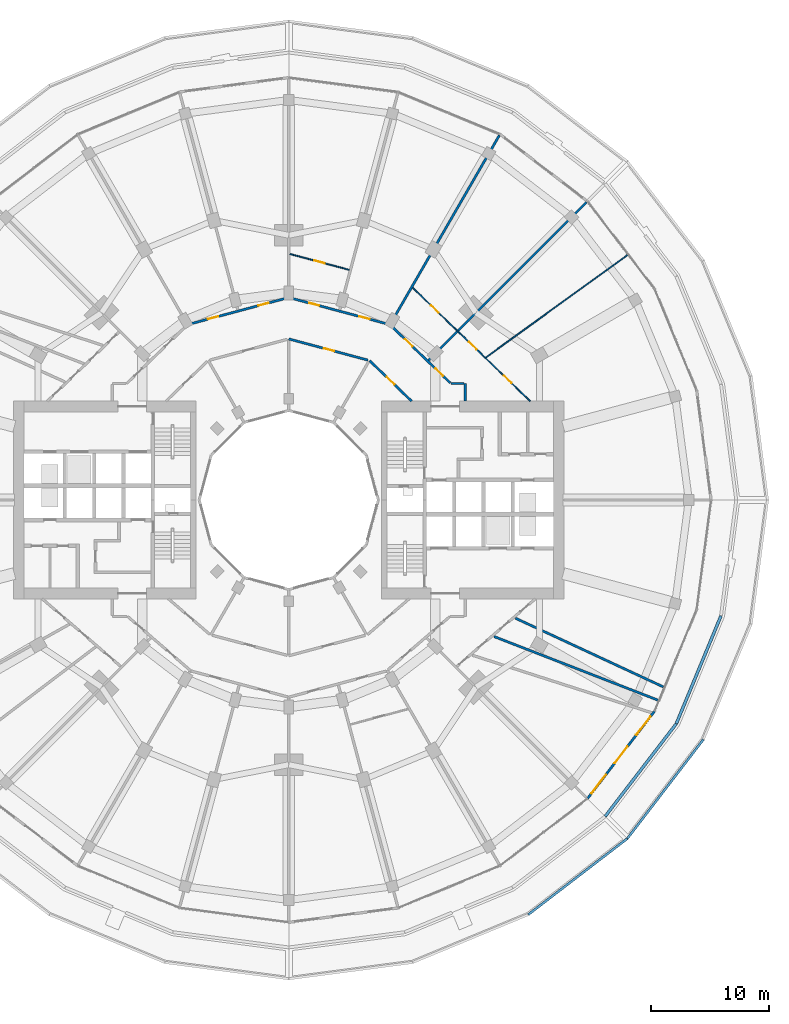
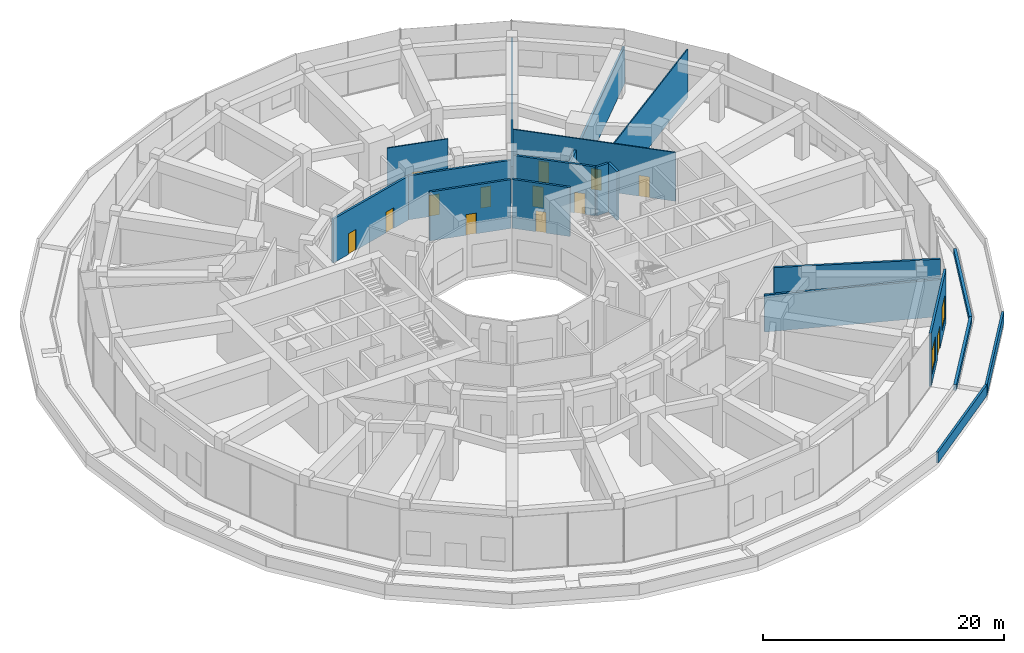
# One storey, part 22 of 26: 19 walls, 13 doors, 2 windows, 15 openings.
"""IFC4 building model written with IfcOpenShell, lengths in metres."""

from ifc_helpers import new_model, si_unit, direction, frame, frame_2d, origin, place, context, subcontext, project, spatial, rectangle, extrude, material, layer, layer_set, type_object, element, fill, save


model = new_model("IFC4")

# Units and contexts
model_context = context("Model", 3, precision=1e-05, world=origin(), true_north=direction((0.0, 1.0)))
body_context = subcontext(model_context, "Body", "Model", "MODEL_VIEW")
ifc_project = project(units=[si_unit("LENGTHUNIT", "METRE"), si_unit("AREAUNIT", "SQUARE_METRE"), si_unit("VOLUMEUNIT", "CUBIC_METRE"), si_unit("PLANEANGLEUNIT", "RADIAN"), si_unit("MASSUNIT", "GRAM", prefix="KILO")], contexts=[model_context])

# Site, building, storey
site_placement = place(None, origin())
site = spatial("IfcSite", under=ifc_project, at=site_placement, CompositionType="ELEMENT")
building_placement = place(site_placement, origin())
building = spatial("IfcBuilding", under=site, at=building_placement, Name="Torre Brocal", CompositionType="ELEMENT")
storey_placement = place(building_placement, frame((0.0, 0.0, 12.39990234375)))
storey = spatial("IfcBuildingStorey", under=building, at=storey_placement, Name="L02", CompositionType="ELEMENT", Elevation=12.39990234375)

# Wall, openings, windows, door
ifc_material_1 = material(Name="Concrete C40", Category="concrete")
ifc_layer_1 = layer(ifc_material_1, 0.199951171875)
ifc_layer_set_1 = layer_set([ifc_layer_1], Name="Concrete C40")
wall_type_1 = type_object("IfcWallType", Name="EXTERNAL WALL 200", PredefinedType="NOTDEFINED", material=ifc_layer_set_1)
wall_1_placement = place(storey_placement, frame((105.384521484375, 49.615478515625, 0.0), z_axis=(0.0, 0.0, 1.0), x_axis=(0.608758541676, 0.793355555811, 0.0)))
wall_1 = element("IfcWall", 1, at=wall_1_placement, inside=storey, type_object=wall_type_1, Name="EXTERNAL WALL", PredefinedType="NOTDEFINED", context=body_context, shape_type="SweptSolid", body=[
    extrude(rectangle(XDim=9.37158203125, YDim=0.199951171875, at=frame_2d((4.685791015625, 0.0))), origin(), (0.0, 0.0, 1.0), 5.400146484375),
])
opening_1_placement = place(wall_1_placement, frame((0.56201171875, 0.0, 0.89990234375)))
opening_1 = element("IfcOpeningElement", 2, at=opening_1_placement, cuts=wall_1, Name="Opening W2", PredefinedType="OPENING", context=body_context, shape_type="SweptSolid", body=[
    extrude(rectangle(XDim=2.0, YDim=2.39990234375, at=frame_2d((1.0, 1.199951171875))), frame((0.0, 0.10986328125, 0.0), z_axis=(0.0, -1.0, 0.0), x_axis=(1.0, 0.0, 0.0)), (0.0, 0.0, 1.0), 0.219970703125),
])
opening_2_placement = place(wall_1_placement, frame((3.785888671875, 0.0, 0.0)))
opening_2 = element("IfcOpeningElement", 3, at=opening_2_placement, cuts=wall_1, Name="Opening L02-E08", PredefinedType="OPENING", context=body_context, shape_type="SweptSolid", body=[
    extrude(rectangle(XDim=1.800048828125, YDim=2.39990234375, at=frame_2d((0.89990234375, 1.199951171875))), frame((0.0, 0.10986328125, 0.0), z_axis=(0.0, -1.0, 0.0), x_axis=(1.0, 0.0, 0.0)), (0.0, 0.0, 1.0), 0.219970703125),
])
opening_3_placement = place(wall_1_placement, frame((6.8095703125, 0.0, 0.89990234375)))
opening_3 = element("IfcOpeningElement", 4, at=opening_3_placement, cuts=wall_1, Name="Opening W2", PredefinedType="OPENING", context=body_context, shape_type="SweptSolid", body=[
    extrude(rectangle(XDim=2.0, YDim=2.39990234375, at=frame_2d((1.0, 1.199951171875))), frame((0.0, 0.10986328125, 0.0), z_axis=(0.0, -1.0, 0.0), x_axis=(1.0, 0.0, 0.0)), (0.0, 0.0, 1.0), 0.219970703125),
])
ifc_material_2 = material(Name="Aluminium and glass", Category="aluminium")
window_type = type_object("IfcWindowType", Name="PODIUM WINDOW 2000X2400", PartitioningType="SINGLE_PANEL", PredefinedType="WINDOW", material=ifc_material_2)
window_1_placement = place(opening_1_placement, origin())
window_1 = element("IfcWindow", 5, at=window_1_placement, inside=storey, type_object=window_type, Name="PODIUM WINDOW 2000X2400", OverallHeight=2.39990234375, OverallWidth=2.0, PartitioningType="SINGLE_PANEL", PredefinedType="WINDOW", context=body_context, shape_type="SweptSolid", body=[
    extrude(rectangle(XDim=2.0, YDim=2.39990234375, at=frame_2d((1.0, 1.199951171875))), frame((0.0, 0.030029296875, 0.0), z_axis=(0.0, -1.0, 0.0), x_axis=(1.0, 0.0, 0.0)), (0.0, 0.0, 1.0), 0.06005859375),
])
fill(opening_1, window_1)
window_2_placement = place(opening_3_placement, origin())
window_2 = element("IfcWindow", 6, at=window_2_placement, inside=storey, type_object=window_type, Name="PODIUM WINDOW 2000X2400", OverallHeight=2.39990234375, OverallWidth=2.0, PartitioningType="SINGLE_PANEL", PredefinedType="WINDOW", context=body_context, shape_type="SweptSolid", body=[
    extrude(rectangle(XDim=2.0, YDim=2.39990234375, at=frame_2d((1.0, 1.199951171875))), frame((0.0, 0.030029296875, 0.0), z_axis=(0.0, -1.0, 0.0), x_axis=(1.0, 0.0, 0.0)), (0.0, 0.0, 1.0), 0.06005859375),
])
fill(opening_3, window_2)
ifc_material_3 = material(Name="Aluminium and glass", Category="aluminium")
door_type_1 = type_object("IfcDoorType", Name="TERRACE DOUBLE DOOR 1800X2400", OperationType="DOUBLE_DOOR_SINGLE_SWING", PredefinedType="DOOR", material=ifc_material_3)
door_1_placement = place(opening_2_placement, frame((1.800048828125, 0.0, 0.0), z_axis=(0.0, 0.0, 1.0), x_axis=(-1.0, 0.0, 0.0)))
door_1 = element("IfcDoor", 7, at=door_1_placement, inside=storey, type_object=door_type_1, Name="DOOR L02-E08", OperationType="DOUBLE_DOOR_SINGLE_SWING", OverallHeight=2.39990234375, OverallWidth=1.800048828125, PredefinedType="DOOR", context=body_context, shape_type="SweptSolid", body=[
    extrude(rectangle(XDim=1.800048828125, YDim=2.39990234375, at=frame_2d((0.89990234375, 1.199951171875))), frame((0.0, 0.02490234375, 0.0), z_axis=(0.0, -1.0, 0.0), x_axis=(1.0, 0.0, 0.0)), (0.0, 0.0, 1.0), 0.050048828125),
])
fill(opening_2, door_1)

# Walls
ifc_material_4 = material(Name="Concrete C40", Category="concrete")
ifc_layer_2 = layer(ifc_material_4, 0.199951171875)
ifc_layer_set_2 = layer_set([ifc_layer_2], Name="Concrete C40")
wall_type_2 = type_object("IfcWallType", Name="PARAPET WALL 200 THICK 1100 HIGH", PredefinedType="PARAPET", material=ifc_layer_set_2)
for number, where, z_axis, x_axis, name in (
    (8, (115.237060546875, 54.640869140625, 0.0), (0.0, 0.0, 1.0), (-0.608761803977, -0.793353052568, 0.0), "PARAPET WALL 3"),
    (9, (108.76708984375, 46.214599609375, 0.0), (0.0, 0.0, 1.0), (-0.793353052568, -0.608761803977, 0.0), "PARAPET WALL 4"),
):
    element("IfcWall", number, at=place(storey_placement, frame(where, z_axis=z_axis, x_axis=x_axis)), inside=storey, type_object=wall_type_2, Name=name, PredefinedType="PARAPET", context=body_context, shape_type="SweptSolid", body=[
        extrude(rectangle(XDim=10.597900390625, YDim=0.199951171875, at=frame_2d((5.298828125, 0.0))), origin(), (0.0, 0.0, 1.0), 1.10009765625),
    ])

# Wall, opening, door
ifc_material_5 = material(Name="Gypsum board", Category="Gypsum")
ifc_layer_3 = layer(ifc_material_5, 0.10009765625)
ifc_layer_set_3 = layer_set([ifc_layer_3], Name="Gypsum board")
wall_type_3 = type_object("IfcWallType", Name="PARTITION 100", PredefinedType="PARTITIONING", material=ifc_layer_set_3)
wall_2_placement = place(storey_placement, frame((80.106201171875, 95.908447265625, 0.0), z_axis=(0.0, 0.0, 1.0), x_axis=(0.965909758842, -0.258879002188, 0.0)))
wall_2 = element("IfcWall", 10, at=wall_2_placement, inside=storey, type_object=wall_type_3, Name="ROOM PARTITION", PredefinedType="PARTITIONING", context=body_context, shape_type="SweptSolid", body=[
    extrude(rectangle(XDim=5.20849609375, YDim=0.10009765625, at=frame_2d((2.604248046875, 0.0))), origin(), (0.0, 0.0, 1.0), 4.9501953125),
])
opening_4_placement = place(wall_2_placement, frame((2.1494140625, 0.0, 0.0)))
opening_4 = element("IfcOpeningElement", 11, at=opening_4_placement, cuts=wall_2, Name="Opening PD2-D08", PredefinedType="OPENING", context=body_context, shape_type="SweptSolid", body=[
    extrude(rectangle(XDim=0.89990234375, YDim=2.10009765625, at=frame_2d((0.449951171875, 1.050048828125))), frame((0.0, 0.06005859375, 0.0), z_axis=(0.0, -1.0, 0.0), x_axis=(1.0, 0.0, 0.0)), (0.0, 0.0, 1.0), 0.1201171875),
])
ifc_material_6 = material(Name="Timber", Category="wood")
door_type_2 = type_object("IfcDoorType", Name="ROOM DOOR 900X2100", OperationType="SINGLE_SWING_LEFT", PredefinedType="DOOR", material=ifc_material_6)
door_2_placement = place(opening_4_placement, origin())
door_2 = element("IfcDoor", 12, at=door_2_placement, inside=storey, type_object=door_type_2, Name="PD2-D08", OperationType="SINGLE_SWING_RIGHT", OverallHeight=2.10009765625, OverallWidth=0.89990234375, PredefinedType="DOOR", context=body_context, shape_type="SweptSolid", body=[
    extrude(rectangle(XDim=0.89990234375, YDim=2.10009765625, at=frame_2d((0.449951171875, 1.050048828125))), frame((0.0, 0.02490234375, 0.0), z_axis=(0.0, -1.0, 0.0), x_axis=(1.0, 0.0, 0.0)), (0.0, 0.0, 1.0), 0.050048828125),
])
fill(opening_4, door_2)

# Wall, openings, doors
wall_3_placement = place(storey_placement, frame((90.53564453125, 93.0341796875, 0.0), z_axis=(0.0, 0.0, 1.0), x_axis=(0.719550314706, -0.694440310327, 0.0)))
wall_3 = element("IfcWall", 13, at=wall_3_placement, inside=storey, type_object=wall_type_3, Name="ROOM PARTITION", PredefinedType="PARTITIONING", context=body_context, shape_type="SweptSolid", body=[
    extrude(rectangle(XDim=13.87451171875, YDim=0.10009765625, at=frame_2d((6.937255859375, 0.0))), origin(), (0.0, 0.0, 1.0), 4.9501953125),
])
opening_5_placement = place(wall_3_placement, frame((10.7626953125, 0.0, 0.0)))
opening_5 = element("IfcOpeningElement", 14, at=opening_5_placement, cuts=wall_3, Name="Opening PD2-D01", PredefinedType="OPENING", context=body_context, shape_type="SweptSolid", body=[
    extrude(rectangle(XDim=0.89990234375, YDim=2.10009765625, at=frame_2d((0.449951171875, 1.050048828125))), frame((0.0, 0.06005859375, 0.0), z_axis=(0.0, -1.0, 0.0), x_axis=(1.0, 0.0, 0.0)), (0.0, 0.0, 1.0), 0.1201171875),
])
opening_6_placement = place(wall_3_placement, frame((6.647705078125, 0.0, 0.0)))
opening_6 = element("IfcOpeningElement", 15, at=opening_6_placement, cuts=wall_3, Name="Opening PD2-D02", PredefinedType="OPENING", context=body_context, shape_type="SweptSolid", body=[
    extrude(rectangle(XDim=0.89990234375, YDim=2.10009765625, at=frame_2d((0.449951171875, 1.050048828125))), frame((0.0, 0.06005859375, 0.0), z_axis=(0.0, -1.0, 0.0), x_axis=(1.0, 0.0, 0.0)), (0.0, 0.0, 1.0), 0.1201171875),
])
opening_7_placement = place(wall_3_placement, frame((2.146484375, 0.0, 0.0)))
opening_7 = element("IfcOpeningElement", 16, at=opening_7_placement, cuts=wall_3, Name="Opening PD2-D05", PredefinedType="OPENING", context=body_context, shape_type="SweptSolid", body=[
    extrude(rectangle(XDim=0.89990234375, YDim=2.10009765625, at=frame_2d((0.449951171875, 1.050048828125))), frame((0.0, 0.06005859375, 0.0), z_axis=(0.0, -1.0, 0.0), x_axis=(1.0, 0.0, 0.0)), (0.0, 0.0, 1.0), 0.1201171875),
])
door_3_placement = place(opening_5_placement, origin())
door_3 = element("IfcDoor", 17, at=door_3_placement, inside=storey, type_object=door_type_2, Name="PD2-D01", OperationType="SINGLE_SWING_LEFT", OverallHeight=2.10009765625, OverallWidth=0.89990234375, PredefinedType="DOOR", context=body_context, shape_type="SweptSolid", body=[
    extrude(rectangle(XDim=0.89990234375, YDim=2.10009765625, at=frame_2d((0.449951171875, 1.050048828125))), frame((0.0, 0.02490234375, 0.0), z_axis=(0.0, -1.0, 0.0), x_axis=(1.0, 0.0, 0.0)), (0.0, 0.0, 1.0), 0.050048828125),
])
fill(opening_5, door_3)
door_4_placement = place(opening_6_placement, origin())
door_4 = element("IfcDoor", 18, at=door_4_placement, inside=storey, type_object=door_type_2, Name="PD2-D02", OperationType="SINGLE_SWING_RIGHT", OverallHeight=2.10009765625, OverallWidth=0.89990234375, PredefinedType="DOOR", context=body_context, shape_type="SweptSolid", body=[
    extrude(rectangle(XDim=0.89990234375, YDim=2.10009765625, at=frame_2d((0.449951171875, 1.050048828125))), frame((0.0, 0.02490234375, 0.0), z_axis=(0.0, -1.0, 0.0), x_axis=(1.0, 0.0, 0.0)), (0.0, 0.0, 1.0), 0.050048828125),
])
fill(opening_6, door_4)
door_5_placement = place(opening_7_placement, origin())
door_5 = element("IfcDoor", 19, at=door_5_placement, inside=storey, type_object=door_type_2, Name="PD2-D05", OperationType="SINGLE_SWING_RIGHT", OverallHeight=2.10009765625, OverallWidth=0.89990234375, PredefinedType="DOOR", context=body_context, shape_type="SweptSolid", body=[
    extrude(rectangle(XDim=0.89990234375, YDim=2.10009765625, at=frame_2d((0.449951171875, 1.050048828125))), frame((0.0, 0.02490234375, 0.0), z_axis=(0.0, -1.0, 0.0), x_axis=(1.0, 0.0, 0.0)), (0.0, 0.0, 1.0), 0.050048828125),
])
fill(opening_7, door_5)

# Wall
wall_4_placement = place(storey_placement, frame((96.75244140625, 87.117919921875, 0.0), z_axis=(0.0, 0.0, 1.0), x_axis=(0.810241473642, 0.586096198921, 0.0)))
element("IfcWall", 20, at=wall_4_placement, inside=storey, type_object=wall_type_3, Name="ROOM PARTITION", PredefinedType="PARTITIONING", context=body_context, shape_type="SweptSolid", body=[
    extrude(rectangle(XDim=14.890625, YDim=0.10009765625, at=frame_2d((7.4453125, 0.0))), origin(), (0.0, 0.0, 1.0), 4.9501953125),
])

# Wall, opening, door
ifc_material_7 = material(Name="Gypsum board", Category="Gypsum")
ifc_layer_4 = layer(ifc_material_7, 0.199951171875)
ifc_layer_set_4 = layer_set([ifc_layer_4], Name="Gypsum board")
wall_type_4 = type_object("IfcWallType", Name="PARTITION 200 EI60", PredefinedType="PARTITIONING", material=ifc_layer_set_4)
wall_5_placement = place(storey_placement, frame((80.0, 88.68994140625, 0.0), z_axis=(0.0, 0.0, 1.0), x_axis=(0.965929896633, -0.258803853893, 0.0)))
wall_5 = element("IfcWall", 21, at=wall_5_placement, inside=storey, type_object=wall_type_4, Name="CORRIDOR WALL", PredefinedType="PARTITIONING", context=body_context, shape_type="SweptSolid", body=[
    extrude(rectangle(XDim=6.962890625, YDim=0.199951171875, at=frame_2d((3.4814453125, 0.0))), origin(), (0.0, 0.0, 1.0), 4.9501953125),
])
opening_8_placement = place(wall_5_placement, frame((3.1015625, 0.0, 0.0)))
opening_8 = element("IfcOpeningElement", 22, at=opening_8_placement, cuts=wall_5, Name="Opening PD2-D18", PredefinedType="OPENING", context=body_context, shape_type="SweptSolid", body=[
    extrude(rectangle(XDim=0.89990234375, YDim=2.10009765625, at=frame_2d((0.449951171875, 1.050048828125))), frame((0.0, 0.10986328125, 0.0), z_axis=(0.0, -1.0, 0.0), x_axis=(1.0, 0.0, 0.0)), (0.0, 0.0, 1.0), 0.219970703125),
])
door_6_placement = place(opening_8_placement, frame((0.89990234375, 0.0, 0.0), z_axis=(0.0, 0.0, 1.0), x_axis=(-1.0, 0.0, 0.0)))
door_6 = element("IfcDoor", 23, at=door_6_placement, inside=storey, type_object=door_type_2, Name="PD2-D18", OperationType="SINGLE_SWING_LEFT", OverallHeight=2.10009765625, OverallWidth=0.89990234375, PredefinedType="DOOR", context=body_context, shape_type="SweptSolid", body=[
    extrude(rectangle(XDim=0.89990234375, YDim=2.10009765625, at=frame_2d((0.449951171875, 1.050048828125))), frame((0.0, 0.02490234375, 0.0), z_axis=(0.0, -1.0, 0.0), x_axis=(1.0, 0.0, 0.0)), (0.0, 0.0, 1.0), 0.050048828125),
])
fill(opening_8, door_6)

wall_6_placement = place(storey_placement, frame((86.861083984375, 86.85205078125, 0.0), z_axis=(0.0, 0.0, 1.0), x_axis=(0.719448855188, -0.694545423114, 0.0)))
wall_6 = element("IfcWall", 24, at=wall_6_placement, inside=storey, type_object=wall_type_4, Name="CORRIDOR WALL", PredefinedType="PARTITIONING", context=body_context, shape_type="SweptSolid", body=[
    extrude(rectangle(XDim=4.970458984375, YDim=0.199951171875, at=frame_2d((2.4853515625, 0.0))), origin(), (0.0, 0.0, 1.0), 4.9501953125),
])
opening_9_placement = place(wall_6_placement, frame((2.03515625, 0.0, 0.0)))
opening_9 = element("IfcOpeningElement", 25, at=opening_9_placement, cuts=wall_6, Name="Opening PD2-D17", PredefinedType="OPENING", context=body_context, shape_type="SweptSolid", body=[
    extrude(rectangle(XDim=0.89990234375, YDim=2.10009765625, at=frame_2d((0.449951171875, 1.050048828125))), frame((0.0, 0.10986328125, 0.0), z_axis=(0.0, -1.0, 0.0), x_axis=(1.0, 0.0, 0.0)), (0.0, 0.0, 1.0), 0.219970703125),
])
door_7_placement = place(opening_9_placement, frame((0.89990234375, 0.0, 0.0), z_axis=(0.0, 0.0, 1.0), x_axis=(-1.0, 0.0, 0.0)))
door_7 = element("IfcDoor", 26, at=door_7_placement, inside=storey, type_object=door_type_2, Name="PD2-D17", OperationType="SINGLE_SWING_LEFT", OverallHeight=2.10009765625, OverallWidth=0.89990234375, PredefinedType="DOOR", context=body_context, shape_type="SweptSolid", body=[
    extrude(rectangle(XDim=0.89990234375, YDim=2.10009765625, at=frame_2d((0.449951171875, 1.050048828125))), frame((0.0, 0.02490234375, 0.0), z_axis=(0.0, -1.0, 0.0), x_axis=(1.0, 0.0, 0.0)), (0.0, 0.0, 1.0), 0.050048828125),
])
fill(opening_9, door_7)

# Wall, openings, doors
wall_7_placement = place(storey_placement, frame((88.66845703125, 89.83203125, 0.0), z_axis=(0.0, 0.0, 1.0), x_axis=(0.71956091863, -0.694429322811, 0.0)))
wall_7 = element("IfcWall", 27, at=wall_7_placement, inside=storey, type_object=wall_type_4, Name="CORRIDOR WALL", PredefinedType="PARTITIONING", context=body_context, shape_type="SweptSolid", body=[
    extrude(rectangle(XDim=7.04296875, YDim=0.199951171875, at=frame_2d((3.521484375, 0.0))), origin(), (0.0, 0.0, 1.0), 4.9501953125),
])
opening_10_placement = place(wall_7_placement, frame((5.27099609375, 0.0, 0.0)))
opening_10 = element("IfcOpeningElement", 28, at=opening_10_placement, cuts=wall_7, Name="Opening PD2-D03", PredefinedType="OPENING", context=body_context, shape_type="SweptSolid", body=[
    extrude(rectangle(XDim=0.89990234375, YDim=2.10009765625, at=frame_2d((0.449951171875, 1.050048828125))), frame((0.0, 0.10986328125, 0.0), z_axis=(0.0, -1.0, 0.0), x_axis=(1.0, 0.0, 0.0)), (0.0, 0.0, 1.0), 0.219970703125),
])
opening_11_placement = place(wall_7_placement, frame((1.684326171875, 0.0, 0.0)))
opening_11 = element("IfcOpeningElement", 29, at=opening_11_placement, cuts=wall_7, Name="Opening PD2-D04", PredefinedType="OPENING", context=body_context, shape_type="SweptSolid", body=[
    extrude(rectangle(XDim=0.89990234375, YDim=2.10009765625, at=frame_2d((0.449951171875, 1.050048828125))), frame((0.0, 0.10986328125, 0.0), z_axis=(0.0, -1.0, 0.0), x_axis=(1.0, 0.0, 0.0)), (0.0, 0.0, 1.0), 0.219970703125),
])
door_8_placement = place(opening_10_placement, origin())
door_8 = element("IfcDoor", 30, at=door_8_placement, inside=storey, type_object=door_type_2, Name="PD2-D03", OperationType="SINGLE_SWING_LEFT", OverallHeight=2.10009765625, OverallWidth=0.89990234375, PredefinedType="DOOR", context=body_context, shape_type="SweptSolid", body=[
    extrude(rectangle(XDim=0.89990234375, YDim=2.10009765625, at=frame_2d((0.449951171875, 1.050048828125))), frame((0.0, 0.02490234375, 0.0), z_axis=(0.0, -1.0, 0.0), x_axis=(1.0, 0.0, 0.0)), (0.0, 0.0, 1.0), 0.050048828125),
])
fill(opening_10, door_8)
door_9_placement = place(opening_11_placement, origin())
door_9 = element("IfcDoor", 31, at=door_9_placement, inside=storey, type_object=door_type_2, Name="PD2-D04", OperationType="SINGLE_SWING_RIGHT", OverallHeight=2.10009765625, OverallWidth=0.89990234375, PredefinedType="DOOR", context=body_context, shape_type="SweptSolid", body=[
    extrude(rectangle(XDim=0.89990234375, YDim=2.10009765625, at=frame_2d((0.449951171875, 1.050048828125))), frame((0.0, 0.02490234375, 0.0), z_axis=(0.0, -1.0, 0.0), x_axis=(1.0, 0.0, 0.0)), (0.0, 0.0, 1.0), 0.050048828125),
])
fill(opening_11, door_9)

# Walls
wall_8_placement = place(storey_placement, frame((93.780029296875, 84.89990234375, 0.0), z_axis=(0.0, 0.0, 1.0), x_axis=(1.0, 0.0, 0.0)))
element("IfcWall", 32, at=wall_8_placement, inside=storey, type_object=wall_type_4, Name="CORRIDOR WALL", PredefinedType="PARTITIONING", context=body_context, shape_type="SweptSolid", body=[
    extrude(rectangle(XDim=1.119873046875, YDim=0.199951171875, at=frame_2d((0.56005859375, 0.0))), origin(), (0.0, 0.0, 1.0), 4.9501953125),
])
wall_9_placement = place(storey_placement, frame((95.0, 83.40087890625, 0.0), z_axis=(0.0, 0.0, 1.0), x_axis=(0.0, 1.0, 0.0)))
element("IfcWall", 33, at=wall_9_placement, inside=storey, type_object=wall_type_4, Name="CORRIDOR WALL", PredefinedType="PARTITIONING", context=body_context, shape_type="SweptSolid", body=[
    extrude(rectangle(XDim=1.4990234375, YDim=0.199951171875, at=frame_2d((0.74951171875, 0.0))), origin(), (0.0, 0.0, 1.0), 4.9501953125),
])
wall_10_placement = place(storey_placement, frame((99.25830078125, 64.9560546875, 0.0), z_axis=(0.0, 0.0, 1.0), x_axis=(0.906926097288, -0.421289750715, 0.0)))
element("IfcWall", 34, at=wall_10_placement, inside=storey, type_object=wall_type_4, Name="PLANT ROOM WALL", PredefinedType="PARTITIONING", context=body_context, shape_type="SweptSolid", body=[
    extrude(rectangle(XDim=13.86767578125, YDim=0.199951171875, at=frame_2d((6.933837890625, 0.0))), origin(), (0.0, 0.0, 1.0), 4.9501953125),
])
ifc_material_8 = material(Name="Gypsum board", Category="Gypsum")
ifc_layer_5 = layer(ifc_material_8, 0.199951171875)
ifc_layer_set_5 = layer_set([ifc_layer_5], Name="Gypsum board")
wall_type_5 = type_object("IfcWallType", Name="PARTITION 200 EI60 UNDER BEAM 1650", PredefinedType="PARTITIONING", material=ifc_layer_set_5)
wall_11_placement = place(storey_placement, frame((88.6015625, 89.896728515625, 0.0), z_axis=(0.0, 0.0, 1.0), x_axis=(0.50004595028, 0.865998872752, 0.0)))
element("IfcWall", 35, at=wall_11_placement, inside=storey, type_object=wall_type_5, Name="PARTY PARTITION", PredefinedType="PARTITIONING", context=body_context, shape_type="SweptSolid", body=[
    extrude(rectangle(XDim=18.596435546875, YDim=0.199951171875, at=frame_2d((9.29833984375, 0.0))), origin(), (0.0, 0.0, 1.0), 3.75),
])
wall_12_placement = place(storey_placement, frame((91.875732421875, 86.875732421875, 0.0), z_axis=(0.0, 0.0, 1.0), x_axis=(0.707106781187, 0.707106781187, 0.0)))
element("IfcWall", 36, at=wall_12_placement, inside=storey, type_object=wall_type_5, Name="PARTY PARTITION", PredefinedType="PARTITIONING", context=body_context, shape_type="SweptSolid", body=[
    extrude(rectangle(XDim=19.00390625, YDim=0.199951171875, at=frame_2d((9.501953125, 0.0))), origin(), (0.0, 0.0, 1.0), 3.75),
])
wall_13_placement = place(storey_placement, frame((97.449462890625, 63.39306640625, 0.0), z_axis=(0.0, 0.0, 1.0), x_axis=(0.932246545469, -0.361823684218, 0.0)))
element("IfcWall", 37, at=wall_13_placement, inside=storey, type_object=wall_type_5, Name="SERVICE ROOM WALL", PredefinedType="PARTITIONING", context=body_context, shape_type="SweptSolid", body=[
    extrude(rectangle(XDim=14.932861328125, YDim=0.199951171875, at=frame_2d((7.46630859375, 0.0))), origin(), (0.0, 0.0, 1.0), 3.75),
])

# Wall, openings, doors
ifc_material_9 = material(Name="Gypsum board", Category="Gypsum")
ifc_layer_6 = layer(ifc_material_9, 0.199951171875)
ifc_layer_set_6 = layer_set([ifc_layer_6], Name="Gypsum board")
wall_type_6 = type_object("IfcWallType", Name="PARTITION 200 EI60 UNDER BEAM 950", PredefinedType="PARTITIONING", material=ifc_layer_set_6)
wall_14_placement = place(storey_placement, frame((71.410888671875, 89.907958984375, 0.0), z_axis=(0.0, 0.0, 1.0), x_axis=(0.965907314361, 0.258888122678, 0.0)))
wall_14 = element("IfcWall", 38, at=wall_14_placement, inside=storey, type_object=wall_type_6, Name="CORRIDOR WALL", PredefinedType="PARTITIONING", context=body_context, shape_type="SweptSolid", body=[
    extrude(rectangle(XDim=8.80224609375, YDim=0.199951171875, at=frame_2d((4.401123046875, 0.0))), origin(), (0.0, 0.0, 1.0), 4.4501953125),
])
opening_12_placement = place(wall_14_placement, frame((6.205322265625, 0.0, 0.0)))
opening_12 = element("IfcOpeningElement", 39, at=opening_12_placement, cuts=wall_14, Name="Opening PD2-D09", PredefinedType="OPENING", context=body_context, shape_type="SweptSolid", body=[
    extrude(rectangle(XDim=0.89990234375, YDim=2.10009765625, at=frame_2d((0.449951171875, 1.050048828125))), frame((0.0, 0.10986328125, 0.0), z_axis=(0.0, -1.0, 0.0), x_axis=(1.0, 0.0, 0.0)), (0.0, 0.0, 1.0), 0.219970703125),
])
opening_13_placement = place(wall_14_placement, frame((1.779052734375, 0.0, 0.0)))
opening_13 = element("IfcOpeningElement", 40, at=opening_13_placement, cuts=wall_14, Name="Opening PD2-D10", PredefinedType="OPENING", context=body_context, shape_type="SweptSolid", body=[
    extrude(rectangle(XDim=0.89990234375, YDim=2.10009765625, at=frame_2d((0.449951171875, 1.050048828125))), frame((0.0, 0.10986328125, 0.0), z_axis=(0.0, -1.0, 0.0), x_axis=(1.0, 0.0, 0.0)), (0.0, 0.0, 1.0), 0.219970703125),
])
door_10_placement = place(opening_12_placement, origin())
door_10 = element("IfcDoor", 41, at=door_10_placement, inside=storey, type_object=door_type_2, Name="PD2-D09", OperationType="SINGLE_SWING_LEFT", OverallHeight=2.10009765625, OverallWidth=0.89990234375, PredefinedType="DOOR", context=body_context, shape_type="SweptSolid", body=[
    extrude(rectangle(XDim=0.89990234375, YDim=2.10009765625, at=frame_2d((0.449951171875, 1.050048828125))), frame((0.0, 0.02490234375, 0.0), z_axis=(0.0, -1.0, 0.0), x_axis=(1.0, 0.0, 0.0)), (0.0, 0.0, 1.0), 0.050048828125),
])
fill(opening_12, door_10)
door_11_placement = place(opening_13_placement, origin())
door_11 = element("IfcDoor", 42, at=door_11_placement, inside=storey, type_object=door_type_2, Name="PD2-D10", OperationType="SINGLE_SWING_RIGHT", OverallHeight=2.10009765625, OverallWidth=0.89990234375, PredefinedType="DOOR", context=body_context, shape_type="SweptSolid", body=[
    extrude(rectangle(XDim=0.89990234375, YDim=2.10009765625, at=frame_2d((0.449951171875, 1.050048828125))), frame((0.0, 0.02490234375, 0.0), z_axis=(0.0, -1.0, 0.0), x_axis=(1.0, 0.0, 0.0)), (0.0, 0.0, 1.0), 0.050048828125),
])
fill(opening_13, door_11)

wall_15_placement = place(storey_placement, frame((80.0, 92.2099609375, 0.0), z_axis=(0.0, 0.0, 1.0), x_axis=(0.965910452724, -0.258876413213, 0.0)))
wall_15 = element("IfcWall", 43, at=wall_15_placement, inside=storey, type_object=wall_type_6, Name="CORRIDOR WALL", PredefinedType="PARTITIONING", context=body_context, shape_type="SweptSolid", body=[
    extrude(rectangle(XDim=8.81201171875, YDim=0.199951171875, at=frame_2d((4.406005859375, 0.0))), origin(), (0.0, 0.0, 1.0), 4.4501953125),
])
opening_14_placement = place(wall_15_placement, frame((6.213134765625, 0.0, 0.0)))
opening_14 = element("IfcOpeningElement", 44, at=opening_14_placement, cuts=wall_15, Name="Opening PD2-D06", PredefinedType="OPENING", context=body_context, shape_type="SweptSolid", body=[
    extrude(rectangle(XDim=0.89990234375, YDim=2.10009765625, at=frame_2d((0.449951171875, 1.050048828125))), frame((0.0, 0.10986328125, 0.0), z_axis=(0.0, -1.0, 0.0), x_axis=(1.0, 0.0, 0.0)), (0.0, 0.0, 1.0), 0.219970703125),
])
opening_15_placement = place(wall_15_placement, frame((1.78662109375, 0.0, 0.0)))
opening_15 = element("IfcOpeningElement", 45, at=opening_15_placement, cuts=wall_15, Name="Opening PD2-D07", PredefinedType="OPENING", context=body_context, shape_type="SweptSolid", body=[
    extrude(rectangle(XDim=0.89990234375, YDim=2.10009765625, at=frame_2d((0.449951171875, 1.050048828125))), frame((0.0, 0.10986328125, 0.0), z_axis=(0.0, -1.0, 0.0), x_axis=(1.0, 0.0, 0.0)), (0.0, 0.0, 1.0), 0.219970703125),
])
door_12_placement = place(opening_14_placement, origin())
door_12 = element("IfcDoor", 46, at=door_12_placement, inside=storey, type_object=door_type_2, Name="PD2-D06", OperationType="SINGLE_SWING_LEFT", OverallHeight=2.10009765625, OverallWidth=0.89990234375, PredefinedType="DOOR", context=body_context, shape_type="SweptSolid", body=[
    extrude(rectangle(XDim=0.89990234375, YDim=2.10009765625, at=frame_2d((0.449951171875, 1.050048828125))), frame((0.0, 0.02490234375, 0.0), z_axis=(0.0, -1.0, 0.0), x_axis=(1.0, 0.0, 0.0)), (0.0, 0.0, 1.0), 0.050048828125),
])
fill(opening_14, door_12)
door_13_placement = place(opening_15_placement, origin())
door_13 = element("IfcDoor", 47, at=door_13_placement, inside=storey, type_object=door_type_2, Name="PD2-D07", OperationType="SINGLE_SWING_RIGHT", OverallHeight=2.10009765625, OverallWidth=0.89990234375, PredefinedType="DOOR", context=body_context, shape_type="SweptSolid", body=[
    extrude(rectangle(XDim=0.89990234375, YDim=2.10009765625, at=frame_2d((0.449951171875, 1.050048828125))), frame((0.0, 0.02490234375, 0.0), z_axis=(0.0, -1.0, 0.0), x_axis=(1.0, 0.0, 0.0)), (0.0, 0.0, 1.0), 0.050048828125),
])
fill(opening_15, door_13)

# Walls
ifc_material_10 = material(Name="Concrete C35", Category="concrete")
ifc_layer_7 = layer(ifc_material_10, 0.25)
ifc_layer_set_7 = layer_set([ifc_layer_7], Name="Concrete C35")
wall_type_7 = type_object("IfcWallType", Name="PLANTER WALL 250 THICK 600 HIGH", PredefinedType="USERDEFINED", material=ifc_layer_set_7)
wall_16_placement = place(storey_placement, frame((116.730224609375, 65.141357421875, 0.0), z_axis=(0.0, 0.0, 1.0), x_axis=(-0.382682268453, -0.923880014619, 0.0)))
element("IfcWall", 48, at=wall_16_placement, inside=storey, type_object=wall_type_7, Name="PLANTER", ObjectType="PLANTER", PredefinedType="USERDEFINED", context=body_context, shape_type="SweptSolid", body=[
    extrude(rectangle(XDim=9.8955078125, YDim=0.25, at=frame_2d((4.94775390625, 0.0))), origin(), (0.0, 0.0, 1.0), 0.60009765625),
])
wall_17_placement = place(storey_placement, frame((112.927001953125, 55.970703125, 0.0), z_axis=(0.0, 0.0, 1.0), x_axis=(-0.608752091832, -0.793360504872, 0.0)))
element("IfcWall", 49, at=wall_17_placement, inside=storey, type_object=wall_type_7, Name="PLANTER", ObjectType="PLANTER", PredefinedType="USERDEFINED", context=body_context, shape_type="SweptSolid", body=[
    extrude(rectangle(XDim=9.911865234375, YDim=0.25, at=frame_2d((4.9560546875, 0.0))), origin(), (0.0, 0.0, 1.0), 0.60009765625),
])

save(model, "model.ifc")
